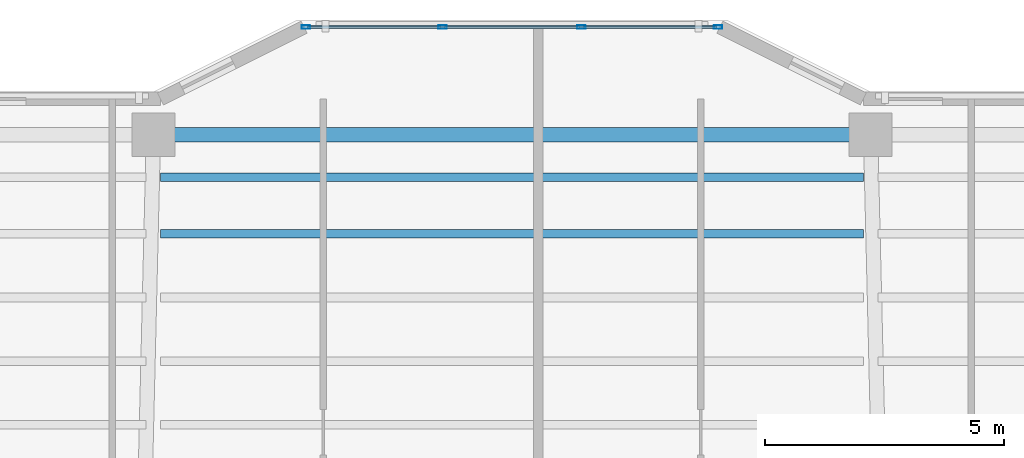
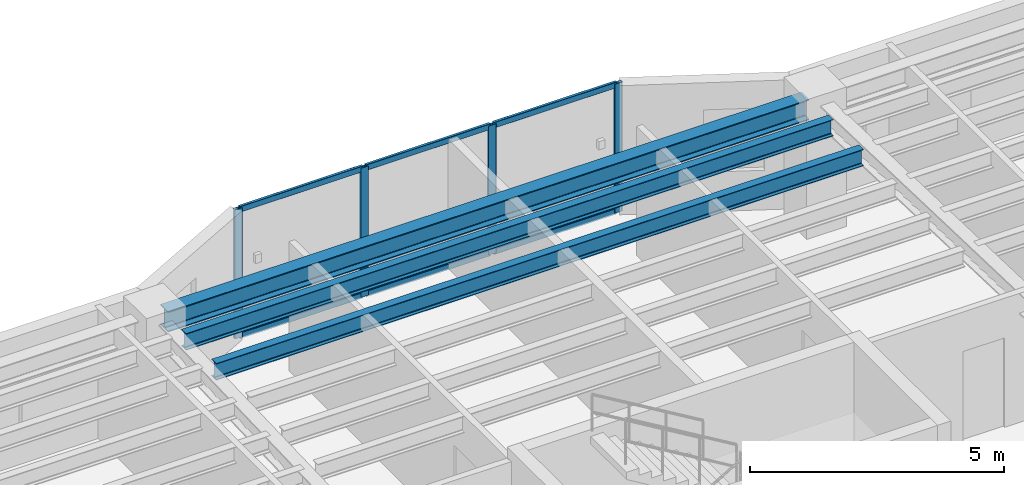
# One storey, part 4 of 15: 10 members, 3 beams, 1 element without a shape of its own.
"""IFC4 building model written with IfcOpenShell, lengths in metres."""

from ifc_helpers import new_model, si_unit, direction, frame, origin, origin_2d, place, context, subcontext, project, spatial, hollow_rectangle, i_section, extrude, material, layer, layer_set, material_profile, profile_set, type_object, element, aggregate, save


model = new_model("IFC4")

# Units and contexts
model_context = context("Model", 3, precision=1e-05, world=origin(), true_north=direction((0.0, 1.0)))
body_context = subcontext(model_context, "Body", "Model", "MODEL_VIEW")
ifc_project = project(units=[si_unit("LENGTHUNIT", "METRE"), si_unit("AREAUNIT", "SQUARE_METRE"), si_unit("VOLUMEUNIT", "CUBIC_METRE"), si_unit("PLANEANGLEUNIT", "RADIAN"), si_unit("MASSUNIT", "GRAM", prefix="KILO")], contexts=[model_context])

# Site, building, storey
site_placement = place(None, origin())
site = spatial("IfcSite", under=ifc_project, at=site_placement, CompositionType="ELEMENT")
building_placement = place(site_placement, origin())
building = spatial("IfcBuilding", under=site, at=building_placement, Name="Tarnavaz Court Tower", CompositionType="ELEMENT")
storey_placement = place(building_placement, frame((0.0, 0.0, 139.300048828125)))
storey = spatial("IfcBuildingStorey", under=building, at=storey_placement, Name="L37", CompositionType="ELEMENT", Elevation=139.300048828125)

# Beams
ifc_material_1 = material(Name="Steel S355", Category="steel")
ifc_material_profile_1 = material_profile(ifc_material_1, i_section(OverallWidth=0.179931640625, OverallDepth=0.39990234375, WebThickness=0.008544921875, FlangeThickness=0.013427734375, FilletRadius=0.02099609375, at=origin_2d()), Name="IPE 400")
ifc_profile_set_1 = profile_set([ifc_material_profile_1], Name="Steel S355")
beam_type_1 = type_object("IfcBeamType", Name="BM-J-IPE400", PredefinedType="JOIST", material=ifc_profile_set_1)
for number, where, z_axis, x_axis, name in (
    (1, (-7.35009765625, 18.327880859375, 2.89990234375), (1.0, 0.0, 0.0), (0.0, 1.0, 0.0), "L37 Beam JN4-2"),
    (2, (-7.35009765625, 19.511962890625, 2.89990234375), (1.0, 0.0, 0.0), (0.0, 1.0, 0.0), "L37 Beam JN5-2"),
):
    element("IfcBeam", number, at=place(storey_placement, frame(where, z_axis=z_axis, x_axis=x_axis)), inside=storey, type_object=beam_type_1, Name=name, PredefinedType="JOIST", context=body_context, shape_type="SweptSolid", body=[
        extrude(i_section(OverallWidth=0.179931640625, OverallDepth=0.39990234375, WebThickness=0.008544921875, FlangeThickness=0.013427734375, FilletRadius=0.02099609375, at=origin_2d()), origin(), (0.0, 0.0, 1.0), 14.7001953125),
    ])
ifc_material_profile_2 = material_profile(ifc_material_1, i_section(OverallWidth=0.300048828125, OverallDepth=0.489990234375, WebThickness=0.011962890625, FlangeThickness=0.02294921875, FilletRadius=0.027099609375, at=origin_2d()), Name="HEA 500")
ifc_profile_set_2 = profile_set([ifc_material_profile_2], Name="Steel S355")
beam_type_2 = type_object("IfcBeamType", Name="BM-SP-HEA500", PredefinedType="SPANDREL", material=ifc_profile_set_2)
beam_placement = place(storey_placement, frame((-7.280029296875, 20.39990234375, 2.85498046875), z_axis=(1.0, 0.0, 0.0), x_axis=(0.0, 1.0, 0.0)))
element("IfcBeam", 3, at=beam_placement, inside=storey, type_object=beam_type_2, Name="L37 Beam PR-PN-2-PN-3", PredefinedType="SPANDREL", context=body_context, shape_type="SweptSolid", body=[
    extrude(i_section(OverallWidth=0.300048828125, OverallDepth=0.489990234375, WebThickness=0.011962890625, FlangeThickness=0.02294921875, FilletRadius=0.027099609375, at=origin_2d()), origin(), (0.0, 0.0, 1.0), 14.56005859375),
])

# Curtain wall, members
ifc_material_2 = material(Name="Anodised Aluminium 6063-T6 and Solar Low-E Glazing", Category="aluminium")
ifc_layer = layer(ifc_material_2, 0.159912109375)
ifc_layer_set = layer_set([ifc_layer], Name="Anodised Aluminium 6063-T6 and Solar Low-E Glazing")
curtain_wall_type = type_object("IfcCurtainWallType", Name="CW-SYS-03", PredefinedType="NOTDEFINED", material=ifc_layer_set)
curtain_wall_placement = place(storey_placement, origin())
curtain_wall = element("IfcCurtainWall", 4, at=curtain_wall_placement, inside=storey, type_object=curtain_wall_type, Name="L37 Iwan Prow Curtain Wall 7", PredefinedType="NOTDEFINED")
ifc_material_3 = material(Name="Anodised Aluminium 6063-T6", Category="aluminium")
ifc_material_profile_3 = material_profile(ifc_material_3, hollow_rectangle(XDim=0.074951171875, YDim=0.179931640625, WallThickness=0.0048828125, InnerFilletRadius=0.0048828125, OuterFilletRadius=0.010009765625, at=origin_2d()), Name="ALU RHS 180X75X5")
ifc_profile_set_3 = profile_set([ifc_material_profile_3], Name="Anodised Aluminium 6063-T6")
member_type_1 = type_object("IfcMemberType", Name="CW-MUL-180", PredefinedType="MULLION", material=ifc_profile_set_3)
member_1_placement = place(storey_placement, frame((-4.3125, 22.64990234375, 0.0), z_axis=(0.0, 0.0, 1.0), x_axis=(0.0, 1.0, 0.0)))
member_1 = element("IfcMember", 5, at=member_1_placement, type_object=member_type_1, Name="CW mullion 1", PredefinedType="MULLION", context=body_context, shape_type="SweptSolid", body=[
    extrude(hollow_rectangle(XDim=0.074951171875, YDim=0.179931640625, WallThickness=0.0048828125, InnerFilletRadius=0.0048828125, OuterFilletRadius=0.010009765625, at=origin_2d()), origin(), (0.0, 0.0, 1.0), 3.099853515625),
])
member_2_placement = place(storey_placement, frame((-1.449951171875, 22.64990234375, 0.0), z_axis=(0.0, 0.0, 1.0), x_axis=(0.0, 1.0, 0.0)))
member_2 = element("IfcMember", 6, at=member_2_placement, type_object=member_type_1, Name="CW mullion 2", PredefinedType="MULLION", context=body_context, shape_type="SweptSolid", body=[
    extrude(hollow_rectangle(XDim=0.074951171875, YDim=0.179931640625, WallThickness=0.0048828125, InnerFilletRadius=0.0048828125, OuterFilletRadius=0.010009765625, at=origin_2d()), origin(), (0.0, 0.0, 1.0), 3.099853515625),
])
member_3_placement = place(storey_placement, frame((1.449951171875, 22.64990234375, 0.0), z_axis=(0.0, 0.0, 1.0), x_axis=(0.0, 1.0, 0.0)))
member_3 = element("IfcMember", 7, at=member_3_placement, type_object=member_type_1, Name="CW mullion 3", PredefinedType="MULLION", context=body_context, shape_type="SweptSolid", body=[
    extrude(hollow_rectangle(XDim=0.074951171875, YDim=0.179931640625, WallThickness=0.0048828125, InnerFilletRadius=0.0048828125, OuterFilletRadius=0.010009765625, at=origin_2d()), origin(), (0.0, 0.0, 1.0), 3.099853515625),
])
member_4_placement = place(storey_placement, frame((4.3125, 22.64990234375, 0.0), z_axis=(0.0, 0.0, 1.0), x_axis=(0.0, 1.0, 0.0)))
member_4 = element("IfcMember", 8, at=member_4_placement, type_object=member_type_1, Name="CW mullion 4", PredefinedType="MULLION", context=body_context, shape_type="SweptSolid", body=[
    extrude(hollow_rectangle(XDim=0.074951171875, YDim=0.179931640625, WallThickness=0.0048828125, InnerFilletRadius=0.0048828125, OuterFilletRadius=0.010009765625, at=origin_2d()), origin(), (0.0, 0.0, 1.0), 3.099853515625),
])
ifc_material_profile_4 = material_profile(ifc_material_3, hollow_rectangle(XDim=0.06494140625, YDim=0.139892578125, WallThickness=0.00390625, InnerFilletRadius=0.00390625, OuterFilletRadius=0.008056640625, at=origin_2d()), Name="ALU RHS 140X65X4")
ifc_profile_set_4 = profile_set([ifc_material_profile_4], Name="Anodised Aluminium 6063-T6")
member_type_2 = type_object("IfcMemberType", Name="CW-TRN-140", PredefinedType="USERDEFINED", material=ifc_profile_set_4)
member_5_placement = place(storey_placement, frame((-4.27490234375, 22.64990234375, 0.032470703125), z_axis=(1.0, 0.0, 0.0), x_axis=(0.0, 1.0, 0.0)))
member_5 = element("IfcMember", 9, at=member_5_placement, type_object=member_type_2, Name="CW transom 1.1", ObjectType="TRANSOM", PredefinedType="USERDEFINED", context=body_context, shape_type="SweptSolid", body=[
    extrude(hollow_rectangle(XDim=0.06494140625, YDim=0.139892578125, WallThickness=0.00390625, InnerFilletRadius=0.00390625, OuterFilletRadius=0.008056640625, at=origin_2d()), origin(), (0.0, 0.0, 1.0), 2.787353515625),
])
member_6_placement = place(storey_placement, frame((-4.27490234375, 22.64990234375, 3.0673828125), z_axis=(1.0, 0.0, 0.0), x_axis=(0.0, 1.0, 0.0)))
member_6 = element("IfcMember", 10, at=member_6_placement, type_object=member_type_2, Name="CW transom 1.2", ObjectType="TRANSOM", PredefinedType="USERDEFINED", context=body_context, shape_type="SweptSolid", body=[
    extrude(hollow_rectangle(XDim=0.06494140625, YDim=0.139892578125, WallThickness=0.00390625, InnerFilletRadius=0.00390625, OuterFilletRadius=0.008056640625, at=origin_2d()), origin(), (0.0, 0.0, 1.0), 2.787353515625),
])
member_7_placement = place(storey_placement, frame((-1.41259765625, 22.64990234375, 0.032470703125), z_axis=(1.0, 0.0, 0.0), x_axis=(0.0, 1.0, 0.0)))
member_7 = element("IfcMember", 11, at=member_7_placement, type_object=member_type_2, Name="CW transom 2.1", ObjectType="TRANSOM", PredefinedType="USERDEFINED", context=body_context, shape_type="SweptSolid", body=[
    extrude(hollow_rectangle(XDim=0.06494140625, YDim=0.139892578125, WallThickness=0.00390625, InnerFilletRadius=0.00390625, OuterFilletRadius=0.008056640625, at=origin_2d()), origin(), (0.0, 0.0, 1.0), 2.8251953125),
])
member_8_placement = place(storey_placement, frame((-1.41259765625, 22.64990234375, 3.0673828125), z_axis=(1.0, 0.0, 0.0), x_axis=(0.0, 1.0, 0.0)))
member_8 = element("IfcMember", 12, at=member_8_placement, type_object=member_type_2, Name="CW transom 2.2", ObjectType="TRANSOM", PredefinedType="USERDEFINED", context=body_context, shape_type="SweptSolid", body=[
    extrude(hollow_rectangle(XDim=0.06494140625, YDim=0.139892578125, WallThickness=0.00390625, InnerFilletRadius=0.00390625, OuterFilletRadius=0.008056640625, at=origin_2d()), origin(), (0.0, 0.0, 1.0), 2.8251953125),
])
member_9_placement = place(storey_placement, frame((1.487548828125, 22.64990234375, 0.032470703125), z_axis=(1.0, 0.0, 0.0), x_axis=(0.0, 1.0, 0.0)))
member_9 = element("IfcMember", 13, at=member_9_placement, type_object=member_type_2, Name="CW transom 3.1", ObjectType="TRANSOM", PredefinedType="USERDEFINED", context=body_context, shape_type="SweptSolid", body=[
    extrude(hollow_rectangle(XDim=0.06494140625, YDim=0.139892578125, WallThickness=0.00390625, InnerFilletRadius=0.00390625, OuterFilletRadius=0.008056640625, at=origin_2d()), origin(), (0.0, 0.0, 1.0), 2.787353515625),
])
member_10_placement = place(storey_placement, frame((1.487548828125, 22.64990234375, 3.0673828125), z_axis=(1.0, 0.0, 0.0), x_axis=(0.0, 1.0, 0.0)))
member_10 = element("IfcMember", 14, at=member_10_placement, type_object=member_type_2, Name="CW transom 3.2", ObjectType="TRANSOM", PredefinedType="USERDEFINED", context=body_context, shape_type="SweptSolid", body=[
    extrude(hollow_rectangle(XDim=0.06494140625, YDim=0.139892578125, WallThickness=0.00390625, InnerFilletRadius=0.00390625, OuterFilletRadius=0.008056640625, at=origin_2d()), origin(), (0.0, 0.0, 1.0), 2.787353515625),
])
aggregate(curtain_wall, [member_1, member_2, member_3, member_4, member_5, member_6, member_7, member_8, member_9, member_10])

save(model, "model.ifc")
